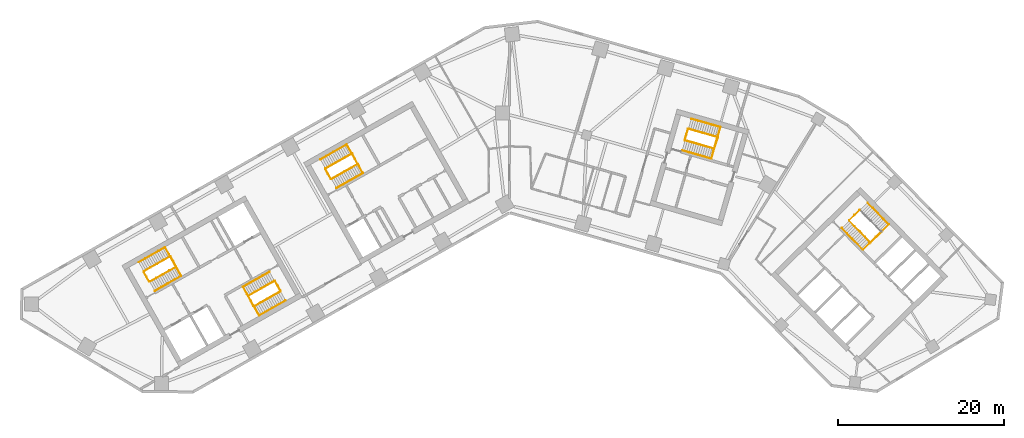
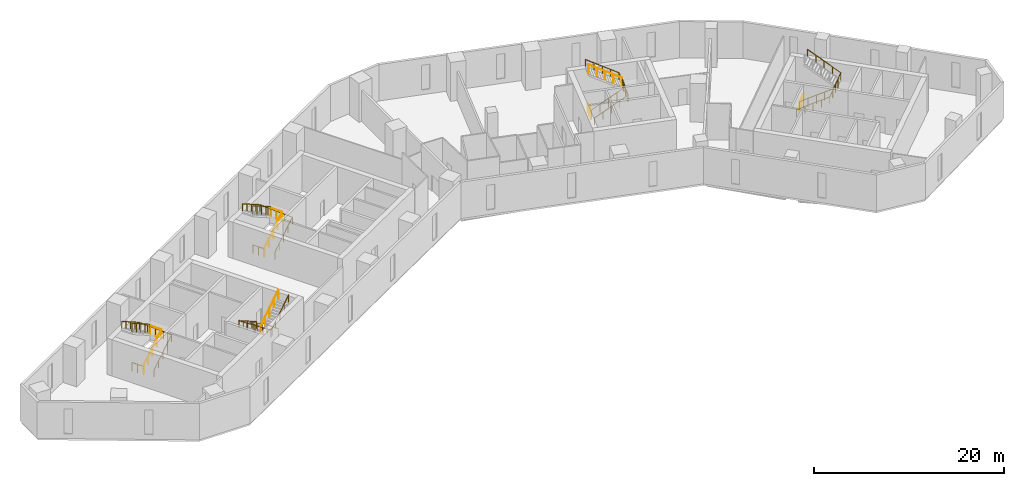
# One storey, part 9 of 10: 19 railings.
"""IFC4 building model written with IfcOpenShell, lengths in metres."""

from ifc_helpers import new_model, si_unit, direction, frame, origin, origin_2d, place, context, subcontext, project, spatial, circle, extrude, material, type_object, element, save


model = new_model("IFC4")

# Units and contexts
model_context = context("Model", 3, precision=1e-05, world=origin(), true_north=direction((0.0, 1.0)))
body_context = subcontext(model_context, "Body", "Model", "MODEL_VIEW")
ifc_project = project(units=[si_unit("LENGTHUNIT", "METRE"), si_unit("AREAUNIT", "SQUARE_METRE"), si_unit("VOLUMEUNIT", "CUBIC_METRE"), si_unit("PLANEANGLEUNIT", "RADIAN"), si_unit("MASSUNIT", "GRAM", prefix="KILO")], contexts=[model_context])

# Site, building, storey
site_placement = place(None, origin())
site = spatial("IfcSite", under=ifc_project, at=site_placement, CompositionType="ELEMENT")
building_placement = place(site_placement, origin())
building = spatial("IfcBuilding", under=site, at=building_placement, Name="Binnacle Exchange Tower", CompositionType="ELEMENT")
storey_placement = place(building_placement, frame((0.0, 0.0, 81.5)))
storey = spatial("IfcBuildingStorey", under=building, at=storey_placement, Name="L16", CompositionType="ELEMENT", Elevation=81.5)

# Railings
ifc_material_1 = material(Name="Steel guard rail", Category="steel")
railing_type_1 = type_object("IfcRailingType", Name="STAIR GUARD 1100", PredefinedType="GUARDRAIL", material=ifc_material_1)
railing_1_placement = place(storey_placement, frame((-43.26171875, 39.71728515625, 0.178466796875)))
element("IfcRailing", 1, at=railing_1_placement, inside=storey, type_object=railing_type_1, Name="L16 STA1 stair guard 1", PredefinedType="GUARDRAIL", context=body_context, shape_type="SweptSolid", body=[
    extrude(circle(Radius=0.02392578125, at=origin_2d()), frame((0.0, 0.0, 1.076171875), z_axis=(0.733795554141, 0.415191658331, 0.537735968274), x_axis=(-0.492450612189, 0.870340390052, 0.0)), (0.0, 0.0, 1.0), 4.317138671875),
    extrude(circle(Radius=0.02392578125, at=origin_2d()), frame((3.16796875, 1.79248046875, 3.3974609375), z_axis=(-0.460963092712, 0.887419307406, 0.0), x_axis=(-0.887419307406, -0.460963092712, 0.0)), (0.0, 0.0, 1.0), 1.40087890625),
    extrude(circle(Radius=0.02099609375, at=origin_2d()), origin(), (0.0, 0.0, 1.0), 1.052001953125),
    extrude(circle(Radius=0.02099609375, at=origin_2d()), frame((0.7919921875, 0.4482421875, 0.580322265625)), (0.0, 0.0, 1.0), 1.052001953125),
    extrude(circle(Radius=0.02099609375, at=origin_2d()), frame((1.583984375, 0.896240234375, 1.16064453125)), (0.0, 0.0, 1.0), 1.052001953125),
    extrude(circle(Radius=0.02099609375, at=origin_2d()), frame((2.3759765625, 1.34423828125, 1.7412109375)), (0.0, 0.0, 1.0), 1.052001953125),
    extrude(circle(Radius=0.02099609375, at=origin_2d()), frame((3.16796875, 1.79248046875, 2.321533203125)), (0.0, 0.0, 1.0), 1.052001953125),
    extrude(circle(Radius=0.02099609375, at=origin_2d()), frame((2.84521484375, 2.4140625, 2.321533203125)), (0.0, 0.0, 1.0), 1.052001953125),
    extrude(circle(Radius=0.02099609375, at=origin_2d()), frame((2.522216796875, 3.03564453125, 2.321533203125)), (0.0, 0.0, 1.0), 1.052001953125),
])
railing_2_placement = place(storey_placement, frame((-40.8076171875, 42.771728515625, 2.678466796875)))
element("IfcRailing", 2, at=railing_2_placement, inside=storey, type_object=railing_type_1, Name="L16 STA1 stair guard 2", PredefinedType="GUARDRAIL", context=body_context, shape_type="SweptSolid", body=[
    extrude(circle(Radius=0.02392578125, at=origin_2d()), frame((0.0, 0.0, 1.076171875), z_axis=(-0.733821652932, -0.415174429824, 0.537713654753), x_axis=(0.492421866095, -0.870356654361, 0.0)), (0.0, 0.0, 1.0), 4.3173828125),
    extrude(circle(Radius=0.02099609375, at=origin_2d()), origin(), (0.0, 0.0, 1.0), 1.052001953125),
    extrude(circle(Radius=0.02099609375, at=origin_2d()), frame((-0.7919921875, -0.4482421875, 0.580322265625)), (0.0, 0.0, 1.0), 1.052001953125),
    extrude(circle(Radius=0.02099609375, at=origin_2d()), frame((-1.583984375, -0.896240234375, 1.16064453125)), (0.0, 0.0, 1.0), 1.052001953125),
    extrude(circle(Radius=0.02099609375, at=origin_2d()), frame((-2.376220703125, -1.34423828125, 1.7412109375)), (0.0, 0.0, 1.0), 1.052001953125),
    extrude(circle(Radius=0.02099609375, at=origin_2d()), frame((-3.168212890625, -1.79248046875, 2.321533203125)), (0.0, 0.0, 1.0), 1.052001953125),
])
railing_3_placement = place(storey_placement, frame((-43.329833984375, 39.736328125, 0.0)))
element("IfcRailing", 3, at=railing_3_placement, inside=storey, type_object=railing_type_1, Name="L16 STA1 stair guard 3", PredefinedType="GUARDRAIL", context=body_context, shape_type="SweptSolid", body=[
    extrude(circle(Radius=0.02392578125, at=origin_2d()), frame((0.0, 0.0, 1.076171875), z_axis=(-0.4924922531, 0.870316827734, 0.0), x_axis=(-0.870316827734, -0.4924922531, 0.0)), (0.0, 0.0, 1.0), 1.349853515625),
    extrude(circle(Radius=0.02099609375, at=origin_2d()), origin(), (0.0, 0.0, 1.0), 1.052001953125),
    extrude(circle(Radius=0.02099609375, at=origin_2d()), frame((-0.33251953125, 0.58740234375, 0.0)), (0.0, 0.0, 1.0), 1.052001953125),
    extrude(circle(Radius=0.02099609375, at=origin_2d()), frame((-0.664794921875, 1.1748046875, 0.0)), (0.0, 0.0, 1.0), 1.052001953125),
])
railing_4_placement = place(storey_placement, frame((-28.265380859375, 39.814453125, 0.178466796875)))
element("IfcRailing", 4, at=railing_4_placement, inside=storey, type_object=railing_type_1, Name="L16 STA2 stair guard 1", PredefinedType="GUARDRAIL", context=body_context, shape_type="SweptSolid", body=[
    extrude(circle(Radius=0.02392578125, at=origin_2d()), frame((0.0, 0.0, 1.076171875), z_axis=(-0.733821652932, -0.415174429824, 0.537713654753), x_axis=(0.492421866095, -0.870356654361, 0.0)), (0.0, 0.0, 1.0), 4.3173828125),
    extrude(circle(Radius=0.02392578125, at=origin_2d()), frame((-3.168212890625, -1.79248046875, 3.3974609375), z_axis=(0.461100321709, -0.887348011391, 0.0), x_axis=(0.887348011391, 0.461100321709, 0.0)), (0.0, 0.0, 1.0), 1.40087890625),
    extrude(circle(Radius=0.02099609375, at=origin_2d()), origin(), (0.0, 0.0, 1.0), 1.052001953125),
    extrude(circle(Radius=0.02099609375, at=origin_2d()), frame((-0.7919921875, -0.4482421875, 0.580322265625)), (0.0, 0.0, 1.0), 1.052001953125),
    extrude(circle(Radius=0.02099609375, at=origin_2d()), frame((-1.583984375, -0.896240234375, 1.16064453125)), (0.0, 0.0, 1.0), 1.052001953125),
    extrude(circle(Radius=0.02099609375, at=origin_2d()), frame((-2.376220703125, -1.34423828125, 1.7412109375)), (0.0, 0.0, 1.0), 1.052001953125),
    extrude(circle(Radius=0.02099609375, at=origin_2d()), frame((-3.168212890625, -1.79248046875, 2.321533203125)), (0.0, 0.0, 1.0), 1.052001953125),
    extrude(circle(Radius=0.02099609375, at=origin_2d()), frame((-2.84521484375, -2.4140625, 2.321533203125)), (0.0, 0.0, 1.0), 1.052001953125),
    extrude(circle(Radius=0.02099609375, at=origin_2d()), frame((-2.522216796875, -3.03564453125, 2.321533203125)), (0.0, 0.0, 1.0), 1.052001953125),
])
railing_5_placement = place(storey_placement, frame((-30.719482421875, 36.760009765625, 2.678466796875)))
element("IfcRailing", 5, at=railing_5_placement, inside=storey, type_object=railing_type_1, Name="L16 STA2 stair guard 2", PredefinedType="GUARDRAIL", context=body_context, shape_type="SweptSolid", body=[
    extrude(circle(Radius=0.02392578125, at=origin_2d()), frame((0.0, 0.0, 1.076171875), z_axis=(0.733795554141, 0.415191658331, 0.537735968274), x_axis=(-0.492450612189, 0.870340390052, 0.0)), (0.0, 0.0, 1.0), 4.317138671875),
    extrude(circle(Radius=0.02099609375, at=origin_2d()), origin(), (0.0, 0.0, 1.0), 1.052001953125),
    extrude(circle(Radius=0.02099609375, at=origin_2d()), frame((0.7919921875, 0.4482421875, 0.580322265625)), (0.0, 0.0, 1.0), 1.052001953125),
    extrude(circle(Radius=0.02099609375, at=origin_2d()), frame((1.583984375, 0.896240234375, 1.16064453125)), (0.0, 0.0, 1.0), 1.052001953125),
    extrude(circle(Radius=0.02099609375, at=origin_2d()), frame((2.3759765625, 1.34423828125, 1.7412109375)), (0.0, 0.0, 1.0), 1.052001953125),
    extrude(circle(Radius=0.02099609375, at=origin_2d()), frame((3.16796875, 1.79248046875, 2.321533203125)), (0.0, 0.0, 1.0), 1.052001953125),
])
railing_6_placement = place(storey_placement, frame((-28.197265625, 39.795654296875, 0.0)))
element("IfcRailing", 6, at=railing_6_placement, inside=storey, type_object=railing_type_1, Name="L16 STA2 stair guard 3", PredefinedType="GUARDRAIL", context=body_context, shape_type="SweptSolid", body=[
    extrude(circle(Radius=0.02392578125, at=origin_2d()), frame((0.0, 0.0, 1.076171875), z_axis=(0.49241474071, -0.870360685654, 0.0), x_axis=(0.870360685654, 0.49241474071, 0.0)), (0.0, 0.0, 1.0), 1.35009765625),
    extrude(circle(Radius=0.02099609375, at=origin_2d()), origin(), (0.0, 0.0, 1.0), 1.052001953125),
    extrude(circle(Radius=0.02099609375, at=origin_2d()), frame((0.33251953125, -0.58740234375, 0.0)), (0.0, 0.0, 1.0), 1.052001953125),
    extrude(circle(Radius=0.02099609375, at=origin_2d()), frame((0.664794921875, -1.175048828125, 0.0)), (0.0, 0.0, 1.0), 1.052001953125),
])
railing_7_placement = place(storey_placement, frame((40.822509765625, 47.046875, 0.178466796875)))
element("IfcRailing", 7, at=railing_7_placement, inside=storey, type_object=railing_type_1, Name="L16 STB1 stair guard 1", PredefinedType="GUARDRAIL", context=body_context, shape_type="SweptSolid", body=[
    extrude(circle(Radius=0.02392578125, at=origin_2d()), frame((0.0, 0.0, 1.076171875), z_axis=(0.590946962671, -0.60135215321, 0.537733461056), x_axis=(0.713250539553, 0.700909172309, 0.0)), (0.0, 0.0, 1.0), 4.317138671875),
    extrude(circle(Radius=0.02392578125, at=origin_2d()), frame((2.55126953125, -2.59619140625, 3.3974609375), z_axis=(0.732527851538, 0.680737061369, 0.0), x_axis=(-0.680737061369, 0.732527851538, 0.0)), (0.0, 0.0, 1.0), 1.80078125),
    extrude(circle(Radius=0.02099609375, at=origin_2d()), origin(), (0.0, 0.0, 1.0), 1.052001953125),
    extrude(circle(Radius=0.02099609375, at=origin_2d()), frame((0.6376953125, -0.64892578125, 0.580322265625)), (0.0, 0.0, 1.0), 1.052001953125),
    extrude(circle(Radius=0.02099609375, at=origin_2d()), frame((1.275634765625, -1.298095703125, 1.16064453125)), (0.0, 0.0, 1.0), 1.052001953125),
    extrude(circle(Radius=0.02099609375, at=origin_2d()), frame((1.91357421875, -1.947265625, 1.7412109375)), (0.0, 0.0, 1.0), 1.052001953125),
    extrude(circle(Radius=0.02099609375, at=origin_2d()), frame((2.55126953125, -2.59619140625, 2.321533203125)), (0.0, 0.0, 1.0), 1.052001953125),
    extrude(circle(Radius=0.02099609375, at=origin_2d()), frame((3.2109375, -1.9833984375, 2.321533203125)), (0.0, 0.0, 1.0), 1.052001953125),
    extrude(circle(Radius=0.02099609375, at=origin_2d()), frame((3.870361328125, -1.370361328125, 2.321533203125)), (0.0, 0.0, 1.0), 1.052001953125),
])
railing_8_placement = place(storey_placement, frame((40.8232421875, 47.117431640625, 0.0)))
element("IfcRailing", 8, at=railing_8_placement, inside=storey, type_object=railing_type_1, Name="L16 STB1 stair guard 3", PredefinedType="GUARDRAIL", context=body_context, shape_type="SweptSolid", body=[
    extrude(circle(Radius=0.02392578125, at=origin_2d()), frame((0.0, 0.0, 1.076171875), z_axis=(0.713218950569, 0.700941316052, 0.0), x_axis=(-0.700941316052, 0.713218950569, 0.0)), (0.0, 0.0, 1.0), 1.75),
    extrude(circle(Radius=0.02099609375, at=origin_2d()), origin(), (0.0, 0.0, 1.0), 1.052001953125),
    extrude(circle(Radius=0.02099609375, at=origin_2d()), frame((0.6240234375, 0.61328125, 0.0)), (0.0, 0.0, 1.0), 1.052001953125),
    extrude(circle(Radius=0.02099609375, at=origin_2d()), frame((1.248046875, 1.2265625, 0.0)), (0.0, 0.0, 1.0), 1.052001953125),
])
railing_9_placement = place(storey_placement, frame((-21.423828125, 52.07275390625, 0.178466796875)))
element("IfcRailing", 9, at=railing_9_placement, inside=storey, type_object=railing_type_1, Name="L16 STC1 stair guard 1", PredefinedType="GUARDRAIL", context=body_context, shape_type="SweptSolid", body=[
    extrude(circle(Radius=0.02392578125, at=origin_2d()), frame((0.0, 0.0, 1.076171875), z_axis=(0.733838880464, 0.415127627455, 0.537726278364), x_axis=(-0.492371057291, 0.870385398511, 0.0)), (0.0, 0.0, 1.0), 4.3173828125),
    extrude(circle(Radius=0.02392578125, at=origin_2d()), frame((3.168212890625, 1.792236328125, 3.3974609375), z_axis=(-0.461100321709, 0.887348011391, 0.0), x_axis=(-0.887348011391, -0.461100321709, 0.0)), (0.0, 0.0, 1.0), 1.40087890625),
    extrude(circle(Radius=0.02099609375, at=origin_2d()), origin(), (0.0, 0.0, 1.0), 1.052001953125),
    extrude(circle(Radius=0.02099609375, at=origin_2d()), frame((0.7919921875, 0.447998046875, 0.580322265625)), (0.0, 0.0, 1.0), 1.052001953125),
    extrude(circle(Radius=0.02099609375, at=origin_2d()), frame((1.583984375, 0.89599609375, 1.16064453125)), (0.0, 0.0, 1.0), 1.052001953125),
    extrude(circle(Radius=0.02099609375, at=origin_2d()), frame((2.376220703125, 1.34423828125, 1.7412109375)), (0.0, 0.0, 1.0), 1.052001953125),
    extrude(circle(Radius=0.02099609375, at=origin_2d()), frame((3.168212890625, 1.792236328125, 2.321533203125)), (0.0, 0.0, 1.0), 1.052001953125),
    extrude(circle(Radius=0.02099609375, at=origin_2d()), frame((2.84521484375, 2.413818359375, 2.321533203125)), (0.0, 0.0, 1.0), 1.052001953125),
    extrude(circle(Radius=0.02099609375, at=origin_2d()), frame((2.522216796875, 3.035400390625, 2.321533203125)), (0.0, 0.0, 1.0), 1.052001953125),
])
railing_10_placement = place(storey_placement, frame((-18.9697265625, 55.126953125, 2.678466796875)))
element("IfcRailing", 10, at=railing_10_placement, inside=storey, type_object=railing_type_1, Name="L16 STC1 stair guard 2", PredefinedType="GUARDRAIL", context=body_context, shape_type="SweptSolid", body=[
    extrude(circle(Radius=0.02392578125, at=origin_2d()), frame((0.0, 0.0, 1.076171875), z_axis=(-0.733812782489, -0.415144854829, 0.537748593457), x_axis=(0.492399802317, -0.870369137021, 0.0)), (0.0, 0.0, 1.0), 4.317138671875),
    extrude(circle(Radius=0.02099609375, at=origin_2d()), origin(), (0.0, 0.0, 1.0), 1.052001953125),
    extrude(circle(Radius=0.02099609375, at=origin_2d()), frame((-0.7919921875, -0.447998046875, 0.580322265625)), (0.0, 0.0, 1.0), 1.052001953125),
    extrude(circle(Radius=0.02099609375, at=origin_2d()), frame((-1.583984375, -0.89599609375, 1.16064453125)), (0.0, 0.0, 1.0), 1.052001953125),
    extrude(circle(Radius=0.02099609375, at=origin_2d()), frame((-2.3759765625, -1.34423828125, 1.7412109375)), (0.0, 0.0, 1.0), 1.052001953125),
    extrude(circle(Radius=0.02099609375, at=origin_2d()), frame((-3.16796875, -1.792236328125, 2.321533203125)), (0.0, 0.0, 1.0), 1.052001953125),
])
railing_11_placement = place(storey_placement, frame((-21.491943359375, 52.091552734375, 0.0)))
element("IfcRailing", 11, at=railing_11_placement, inside=storey, type_object=railing_type_1, Name="L16 STC1 stair guard 3", PredefinedType="GUARDRAIL", context=body_context, shape_type="SweptSolid", body=[
    extrude(circle(Radius=0.02392578125, at=origin_2d()), frame((0.0, 0.0, 1.076171875), z_axis=(-0.49241474071, 0.870360685654, 0.0), x_axis=(-0.870360685654, -0.49241474071, 0.0)), (0.0, 0.0, 1.0), 1.35009765625),
    extrude(circle(Radius=0.02099609375, at=origin_2d()), origin(), (0.0, 0.0, 1.0), 1.052001953125),
    extrude(circle(Radius=0.02099609375, at=origin_2d()), frame((-0.33251953125, 0.58740234375, 0.0)), (0.0, 0.0, 1.0), 1.052001953125),
    extrude(circle(Radius=0.02099609375, at=origin_2d()), frame((-0.664794921875, 1.175048828125, 0.0)), (0.0, 0.0, 1.0), 1.052001953125),
])
railing_12_placement = place(storey_placement, frame((21.086669921875, 56.71044921875, 0.178466796875)))
element("IfcRailing", 12, at=railing_12_placement, inside=storey, type_object=railing_type_1, Name="L16 STD1 stair guard 1", PredefinedType="GUARDRAIL", context=body_context, shape_type="SweptSolid", body=[
    extrude(circle(Radius=0.02392578125, at=origin_2d()), frame((0.0, 0.0, 1.076171875), z_axis=(0.810455892038, -0.232415135102, 0.537721537635), x_axis=(0.275659984683, 0.961255206927, 0.0)), (0.0, 0.0, 1.0), 4.3173828125),
    extrude(circle(Radius=0.02392578125, at=origin_2d()), frame((3.4990234375, -1.00341796875, 3.3974609375), z_axis=(0.309684985722, 0.950839213337, 0.0), x_axis=(-0.950839213337, 0.309684985722, 0.0)), (0.0, 0.0, 1.0), 1.40087890625),
    extrude(circle(Radius=0.02099609375, at=origin_2d()), origin(), (0.0, 0.0, 1.0), 1.052001953125),
    extrude(circle(Radius=0.02099609375, at=origin_2d()), frame((0.874755859375, -0.2509765625, 0.580322265625)), (0.0, 0.0, 1.0), 1.052001953125),
    extrude(circle(Radius=0.02099609375, at=origin_2d()), frame((1.74951171875, -0.501708984375, 1.16064453125)), (0.0, 0.0, 1.0), 1.052001953125),
    extrude(circle(Radius=0.02099609375, at=origin_2d()), frame((2.624267578125, -0.75244140625, 1.7412109375)), (0.0, 0.0, 1.0), 1.052001953125),
    extrude(circle(Radius=0.02099609375, at=origin_2d()), frame((3.4990234375, -1.00341796875, 2.321533203125)), (0.0, 0.0, 1.0), 1.052001953125),
    extrude(circle(Radius=0.02099609375, at=origin_2d()), frame((3.7158203125, -0.33740234375, 2.321533203125)), (0.0, 0.0, 1.0), 1.052001953125),
    extrude(circle(Radius=0.02099609375, at=origin_2d()), frame((3.932861328125, 0.32861328125, 2.321533203125)), (0.0, 0.0, 1.0), 1.052001953125),
])
railing_13_placement = place(storey_placement, frame((24.9853515625, 57.100830078125, 2.678466796875)))
element("IfcRailing", 13, at=railing_13_placement, inside=storey, type_object=railing_type_1, Name="L16 STD1 stair guard 2", PredefinedType="GUARDRAIL", context=body_context, shape_type="SweptSolid", body=[
    extrude(circle(Radius=0.02392578125, at=origin_2d()), frame((0.0, 0.0, 1.076171875), z_axis=(-0.810455892038, 0.232415135102, 0.537721537635), x_axis=(-0.275659984683, -0.961255206927, 0.0)), (0.0, 0.0, 1.0), 4.3173828125),
    extrude(circle(Radius=0.02099609375, at=origin_2d()), origin(), (0.0, 0.0, 1.0), 1.052001953125),
    extrude(circle(Radius=0.02099609375, at=origin_2d()), frame((-0.874755859375, 0.2509765625, 0.580322265625)), (0.0, 0.0, 1.0), 1.052001953125),
    extrude(circle(Radius=0.02099609375, at=origin_2d()), frame((-1.74951171875, 0.501708984375, 1.16064453125)), (0.0, 0.0, 1.0), 1.052001953125),
    extrude(circle(Radius=0.02099609375, at=origin_2d()), frame((-2.624267578125, 0.75244140625, 1.7412109375)), (0.0, 0.0, 1.0), 1.052001953125),
    extrude(circle(Radius=0.02099609375, at=origin_2d()), frame((-3.4990234375, 1.00341796875, 2.321533203125)), (0.0, 0.0, 1.0), 1.052001953125),
])
railing_14_placement = place(storey_placement, frame((21.05224609375, 56.772216796875, 0.0)))
element("IfcRailing", 14, at=railing_14_placement, inside=storey, type_object=railing_type_1, Name="L16 STD1 stair guard 3", PredefinedType="GUARDRAIL", context=body_context, shape_type="SweptSolid", body=[
    extrude(circle(Radius=0.02392578125, at=origin_2d()), frame((0.0, 0.0, 1.076171875), z_axis=(0.275795817769, 0.961216243569, 0.0), x_axis=(-0.961216243569, 0.275795817769, 0.0)), (0.0, 0.0, 1.0), 1.349853515625),
    extrude(circle(Radius=0.02099609375, at=origin_2d()), origin(), (0.0, 0.0, 1.0), 1.052001953125),
    extrude(circle(Radius=0.02099609375, at=origin_2d()), frame((0.18603515625, 0.64892578125, 0.0)), (0.0, 0.0, 1.0), 1.052001953125),
    extrude(circle(Radius=0.02099609375, at=origin_2d()), frame((0.372314453125, 1.297607421875, 0.0)), (0.0, 0.0, 1.0), 1.052001953125),
])
ifc_material_2 = material(Name="Steel handrail", Category="steel")
railing_type_2 = type_object("IfcRailingType", Name="STAIR HANDRAIL 900", PredefinedType="HANDRAIL", material=ifc_material_2)
railing_15_placement = place(storey_placement, frame((-42.646240234375, 38.62939453125, 0.178466796875)))
element("IfcRailing", 15, at=railing_15_placement, inside=storey, type_object=railing_type_2, Name="L16 STA1 stair handrail 1", PredefinedType="HANDRAIL", context=body_context, shape_type="SweptSolid", body=[
    extrude(circle(Radius=0.02392578125, at=origin_2d()), frame((0.0, 0.0, 0.8759765625), z_axis=(0.733821652932, 0.415174429824, 0.537713654753), x_axis=(-0.492421866095, 0.870356654361, 0.0)), (0.0, 0.0, 1.0), 4.3173828125),
    extrude(circle(Radius=0.02392578125, at=origin_2d()), frame((3.168212890625, 1.79248046875, 3.197265625), z_axis=(-0.491985021148, 0.869432866815, 0.045135674003), x_axis=(-0.870319839224, -0.492486931251, 0.0)), (0.0, 0.0, 1.0), 3.9541015625),
    extrude(circle(Radius=0.02392578125, at=origin_2d()), frame((1.222900390625, 5.230224609375, 3.3759765625), z_axis=(-0.733812782489, -0.415144854829, 0.537748593457), x_axis=(0.492399802317, -0.870369137021, 0.0)), (0.0, 0.0, 1.0), 4.317138671875),
    extrude(circle(Radius=0.02099609375, at=origin_2d()), origin(), (0.0, 0.0, 1.0), 0.851806640625),
    extrude(circle(Radius=0.02099609375, at=origin_2d()), frame((0.7919921875, 0.4482421875, 0.580322265625)), (0.0, 0.0, 1.0), 0.851806640625),
    extrude(circle(Radius=0.02099609375, at=origin_2d()), frame((1.583984375, 0.896240234375, 1.16064453125)), (0.0, 0.0, 1.0), 0.851806640625),
    extrude(circle(Radius=0.02099609375, at=origin_2d()), frame((2.376220703125, 1.34423828125, 1.7412109375)), (0.0, 0.0, 1.0), 0.851806640625),
    extrude(circle(Radius=0.02099609375, at=origin_2d()), frame((3.168212890625, 1.79248046875, 2.321533203125)), (0.0, 0.0, 1.0), 0.851806640625),
    extrude(circle(Radius=0.02099609375, at=origin_2d()), frame((2.681884765625, 2.65185546875, 2.3662109375)), (0.0, 0.0, 1.0), 0.851806640625),
    extrude(circle(Radius=0.02099609375, at=origin_2d()), frame((2.195556640625, 3.51123046875, 2.41064453125)), (0.0, 0.0, 1.0), 0.851806640625),
    extrude(circle(Radius=0.02099609375, at=origin_2d()), frame((1.709228515625, 4.370849609375, 2.455322265625)), (0.0, 0.0, 1.0), 0.851806640625),
    extrude(circle(Radius=0.02099609375, at=origin_2d()), frame((1.222900390625, 5.230224609375, 2.5)), (0.0, 0.0, 1.0), 0.851806640625),
    extrude(circle(Radius=0.02099609375, at=origin_2d()), frame((0.430908203125, 4.7822265625, 3.080322265625)), (0.0, 0.0, 1.0), 0.851806640625),
    extrude(circle(Radius=0.02099609375, at=origin_2d()), frame((-0.361083984375, 4.333984375, 3.66064453125)), (0.0, 0.0, 1.0), 0.851806640625),
    extrude(circle(Radius=0.02099609375, at=origin_2d()), frame((-1.153076171875, 3.885986328125, 4.2412109375)), (0.0, 0.0, 1.0), 0.851806640625),
    extrude(circle(Radius=0.02099609375, at=origin_2d()), frame((-1.945068359375, 3.43798828125, 4.821533203125)), (0.0, 0.0, 1.0), 0.851806640625),
])
railing_16_placement = place(storey_placement, frame((-28.880859375, 40.90234375, 0.178466796875)))
element("IfcRailing", 16, at=railing_16_placement, inside=storey, type_object=railing_type_2, Name="L16 STA2 stair handrail 1", PredefinedType="HANDRAIL", context=body_context, shape_type="SweptSolid", body=[
    extrude(circle(Radius=0.02392578125, at=origin_2d()), frame((0.0, 0.0, 0.8759765625), z_axis=(-0.733838880464, -0.415127627455, 0.537726278364), x_axis=(0.492371057291, -0.870385398511, 0.0)), (0.0, 0.0, 1.0), 4.3173828125),
    extrude(circle(Radius=0.02392578125, at=origin_2d()), frame((-3.168212890625, -1.792236328125, 3.197265625), z_axis=(0.491911810019, -0.86947434526, 0.045134621956), x_axis=(0.870361318571, 0.492413622004, 0.0)), (0.0, 0.0, 1.0), 3.9541015625),
    extrude(circle(Radius=0.02392578125, at=origin_2d()), frame((-1.22314453125, -5.230224609375, 3.3759765625), z_axis=(0.733821652932, 0.415174429824, 0.537713654753), x_axis=(-0.492421866095, 0.870356654361, 0.0)), (0.0, 0.0, 1.0), 4.3173828125),
    extrude(circle(Radius=0.02099609375, at=origin_2d()), origin(), (0.0, 0.0, 1.0), 0.851806640625),
    extrude(circle(Radius=0.02099609375, at=origin_2d()), frame((-0.7919921875, -0.447998046875, 0.580322265625)), (0.0, 0.0, 1.0), 0.851806640625),
    extrude(circle(Radius=0.02099609375, at=origin_2d()), frame((-1.583984375, -0.89599609375, 1.16064453125)), (0.0, 0.0, 1.0), 0.851806640625),
    extrude(circle(Radius=0.02099609375, at=origin_2d()), frame((-2.376220703125, -1.34423828125, 1.7412109375)), (0.0, 0.0, 1.0), 0.851806640625),
    extrude(circle(Radius=0.02099609375, at=origin_2d()), frame((-3.168212890625, -1.792236328125, 2.321533203125)), (0.0, 0.0, 1.0), 0.851806640625),
    extrude(circle(Radius=0.02099609375, at=origin_2d()), frame((-2.681884765625, -2.65185546875, 2.3662109375)), (0.0, 0.0, 1.0), 0.851806640625),
    extrude(circle(Radius=0.02099609375, at=origin_2d()), frame((-2.19580078125, -3.51123046875, 2.41064453125)), (0.0, 0.0, 1.0), 0.851806640625),
    extrude(circle(Radius=0.02099609375, at=origin_2d()), frame((-1.70947265625, -4.37060546875, 2.455322265625)), (0.0, 0.0, 1.0), 0.851806640625),
    extrude(circle(Radius=0.02099609375, at=origin_2d()), frame((-1.22314453125, -5.230224609375, 2.5)), (0.0, 0.0, 1.0), 0.851806640625),
    extrude(circle(Radius=0.02099609375, at=origin_2d()), frame((-0.43115234375, -4.7822265625, 3.080322265625)), (0.0, 0.0, 1.0), 0.851806640625),
    extrude(circle(Radius=0.02099609375, at=origin_2d()), frame((0.36083984375, -4.333984375, 3.66064453125)), (0.0, 0.0, 1.0), 0.851806640625),
    extrude(circle(Radius=0.02099609375, at=origin_2d()), frame((1.153076171875, -3.8857421875, 4.2412109375)), (0.0, 0.0, 1.0), 0.851806640625),
    extrude(circle(Radius=0.02099609375, at=origin_2d()), frame((1.945068359375, -3.437744140625, 4.821533203125)), (0.0, 0.0, 1.0), 0.851806640625),
])
railing_17_placement = place(storey_placement, frame((39.930908203125, 46.170654296875, 0.178466796875)))
element("IfcRailing", 17, at=railing_17_placement, inside=storey, type_object=railing_type_2, Name="L16 STB1 stair handrail 1", PredefinedType="HANDRAIL", context=body_context, shape_type="SweptSolid", body=[
    extrude(circle(Radius=0.02392578125, at=origin_2d()), frame((0.0, 0.0, 0.8759765625), z_axis=(0.590983762497, -0.601332057257, 0.53771549111), x_axis=(0.713217009097, 0.700943291525, 0.0)), (0.0, 0.0, 1.0), 4.3173828125),
    extrude(circle(Radius=0.02392578125, at=origin_2d()), frame((2.551513671875, -2.59619140625, 3.197265625), z_axis=(0.712654164256, 0.700316745611, 0.040993877406), x_axis=(-0.700905928746, 0.713253726978, 0.0)), (0.0, 0.0, 1.0), 4.353515625),
    extrude(circle(Radius=0.02392578125, at=origin_2d()), frame((5.654052734375, 0.45263671875, 3.3759765625), z_axis=(-0.590926866753, 0.601388251475, 0.537715174732), x_axis=(-0.713283488215, -0.700875641922, 0.0)), (0.0, 0.0, 1.0), 4.3173828125),
    extrude(circle(Radius=0.02099609375, at=origin_2d()), origin(), (0.0, 0.0, 1.0), 0.851806640625),
    extrude(circle(Radius=0.02099609375, at=origin_2d()), frame((0.637939453125, -0.64892578125, 0.580322265625)), (0.0, 0.0, 1.0), 0.851806640625),
    extrude(circle(Radius=0.02099609375, at=origin_2d()), frame((1.27587890625, -1.298095703125, 1.16064453125)), (0.0, 0.0, 1.0), 0.851806640625),
    extrude(circle(Radius=0.02099609375, at=origin_2d()), frame((1.91357421875, -1.947265625, 1.7412109375)), (0.0, 0.0, 1.0), 0.851806640625),
    extrude(circle(Radius=0.02099609375, at=origin_2d()), frame((2.551513671875, -2.59619140625, 2.321533203125)), (0.0, 0.0, 1.0), 0.851806640625),
    extrude(circle(Radius=0.02099609375, at=origin_2d()), frame((3.3271484375, -1.833984375, 2.3662109375)), (0.0, 0.0, 1.0), 0.851806640625),
    extrude(circle(Radius=0.02099609375, at=origin_2d()), frame((4.102783203125, -1.07177734375, 2.41064453125)), (0.0, 0.0, 1.0), 0.851806640625),
    extrude(circle(Radius=0.02099609375, at=origin_2d()), frame((4.87841796875, -0.3095703125, 2.455322265625)), (0.0, 0.0, 1.0), 0.851806640625),
    extrude(circle(Radius=0.02099609375, at=origin_2d()), frame((5.654052734375, 0.45263671875, 2.5)), (0.0, 0.0, 1.0), 0.851806640625),
    extrude(circle(Radius=0.02099609375, at=origin_2d()), frame((5.01611328125, 1.101806640625, 3.080322265625)), (0.0, 0.0, 1.0), 0.851806640625),
    extrude(circle(Radius=0.02099609375, at=origin_2d()), frame((4.37841796875, 1.7509765625, 3.66064453125)), (0.0, 0.0, 1.0), 0.851806640625),
    extrude(circle(Radius=0.02099609375, at=origin_2d()), frame((3.74072265625, 2.39990234375, 4.2412109375)), (0.0, 0.0, 1.0), 0.851806640625),
    extrude(circle(Radius=0.02099609375, at=origin_2d()), frame((3.102783203125, 3.049072265625, 4.821533203125)), (0.0, 0.0, 1.0), 0.851806640625),
])
railing_18_placement = place(storey_placement, frame((-20.808349609375, 50.984619140625, 0.178466796875)))
element("IfcRailing", 18, at=railing_18_placement, inside=storey, type_object=railing_type_2, Name="L16 STC1 stair handrail 1", PredefinedType="HANDRAIL", context=body_context, shape_type="SweptSolid", body=[
    extrude(circle(Radius=0.02392578125, at=origin_2d()), frame((0.0, 0.0, 0.8759765625), z_axis=(0.733821652932, 0.415174429824, 0.537713654753), x_axis=(-0.492421866095, 0.870356654361, 0.0)), (0.0, 0.0, 1.0), 4.3173828125),
    extrude(circle(Radius=0.02392578125, at=origin_2d()), frame((3.168212890625, 1.79248046875, 3.197265625), z_axis=(-0.491911810019, 0.86947434526, 0.045134621956), x_axis=(-0.870361318571, -0.492413622004, 0.0)), (0.0, 0.0, 1.0), 3.9541015625),
    extrude(circle(Radius=0.02392578125, at=origin_2d()), frame((1.22314453125, 5.23046875, 3.3759765625), z_axis=(-0.733821652932, -0.415174429824, 0.537713654753), x_axis=(0.492421866095, -0.870356654361, 0.0)), (0.0, 0.0, 1.0), 4.3173828125),
    extrude(circle(Radius=0.02099609375, at=origin_2d()), origin(), (0.0, 0.0, 1.0), 0.851806640625),
    extrude(circle(Radius=0.02099609375, at=origin_2d()), frame((0.7919921875, 0.4482421875, 0.580322265625)), (0.0, 0.0, 1.0), 0.851806640625),
    extrude(circle(Radius=0.02099609375, at=origin_2d()), frame((1.583984375, 0.896240234375, 1.16064453125)), (0.0, 0.0, 1.0), 0.851806640625),
    extrude(circle(Radius=0.02099609375, at=origin_2d()), frame((2.376220703125, 1.34423828125, 1.7412109375)), (0.0, 0.0, 1.0), 0.851806640625),
    extrude(circle(Radius=0.02099609375, at=origin_2d()), frame((3.168212890625, 1.79248046875, 2.321533203125)), (0.0, 0.0, 1.0), 0.851806640625),
    extrude(circle(Radius=0.02099609375, at=origin_2d()), frame((2.681884765625, 2.65185546875, 2.3662109375)), (0.0, 0.0, 1.0), 0.851806640625),
    extrude(circle(Radius=0.02099609375, at=origin_2d()), frame((2.19580078125, 3.511474609375, 2.41064453125)), (0.0, 0.0, 1.0), 0.851806640625),
    extrude(circle(Radius=0.02099609375, at=origin_2d()), frame((1.70947265625, 4.37109375, 2.455322265625)), (0.0, 0.0, 1.0), 0.851806640625),
    extrude(circle(Radius=0.02099609375, at=origin_2d()), frame((1.22314453125, 5.23046875, 2.5)), (0.0, 0.0, 1.0), 0.851806640625),
    extrude(circle(Radius=0.02099609375, at=origin_2d()), frame((0.43115234375, 4.7822265625, 3.080322265625)), (0.0, 0.0, 1.0), 0.851806640625),
    extrude(circle(Radius=0.02099609375, at=origin_2d()), frame((-0.36083984375, 4.334228515625, 3.66064453125)), (0.0, 0.0, 1.0), 0.851806640625),
    extrude(circle(Radius=0.02099609375, at=origin_2d()), frame((-1.153076171875, 3.88623046875, 4.2412109375)), (0.0, 0.0, 1.0), 0.851806640625),
    extrude(circle(Radius=0.02099609375, at=origin_2d()), frame((-1.945068359375, 3.43798828125, 4.821533203125)), (0.0, 0.0, 1.0), 0.851806640625),
])
railing_19_placement = place(storey_placement, frame((20.7421875, 55.5087890625, 0.178466796875)))
element("IfcRailing", 19, at=railing_19_placement, inside=storey, type_object=railing_type_2, Name="L16 STD1 stair handrail 1", PredefinedType="HANDRAIL", context=body_context, shape_type="SweptSolid", body=[
    extrude(circle(Radius=0.02392578125, at=origin_2d()), frame((0.0, 0.0, 0.8759765625), z_axis=(0.810436485383, -0.2324257871, 0.537746182368), x_axis=(0.27567775811, 0.961250109848, 0.0)), (0.0, 0.0, 1.0), 4.317138671875),
    extrude(circle(Radius=0.02392578125, at=origin_2d()), frame((3.498779296875, -1.00341796875, 3.197265625), z_axis=(0.275370676617, 0.960278056821, 0.045133624351), x_axis=(-0.961257617982, 0.275651576943, 0.0)), (0.0, 0.0, 1.0), 3.9541015625),
    extrude(circle(Radius=0.02392578125, at=origin_2d()), frame((4.587646484375, 2.793701171875, 3.3759765625), z_axis=(-0.810466542589, 0.232361639932, 0.537728604067), x_axis=(-0.275598008994, -0.961272977587, 0.0)), (0.0, 0.0, 1.0), 4.3173828125),
    extrude(circle(Radius=0.02099609375, at=origin_2d()), origin(), (0.0, 0.0, 1.0), 0.851806640625),
    extrude(circle(Radius=0.02099609375, at=origin_2d()), frame((0.874755859375, -0.2509765625, 0.580322265625)), (0.0, 0.0, 1.0), 0.851806640625),
    extrude(circle(Radius=0.02099609375, at=origin_2d()), frame((1.74951171875, -0.501708984375, 1.16064453125)), (0.0, 0.0, 1.0), 0.851806640625),
    extrude(circle(Radius=0.02099609375, at=origin_2d()), frame((2.6240234375, -0.75244140625, 1.7412109375)), (0.0, 0.0, 1.0), 0.851806640625),
    extrude(circle(Radius=0.02099609375, at=origin_2d()), frame((3.498779296875, -1.00341796875, 2.321533203125)), (0.0, 0.0, 1.0), 0.851806640625),
    extrude(circle(Radius=0.02099609375, at=origin_2d()), frame((3.77099609375, -0.05419921875, 2.3662109375)), (0.0, 0.0, 1.0), 0.851806640625),
    extrude(circle(Radius=0.02099609375, at=origin_2d()), frame((4.043212890625, 0.89501953125, 2.41064453125)), (0.0, 0.0, 1.0), 0.851806640625),
    extrude(circle(Radius=0.02099609375, at=origin_2d()), frame((4.3154296875, 1.844482421875, 2.455322265625)), (0.0, 0.0, 1.0), 0.851806640625),
    extrude(circle(Radius=0.02099609375, at=origin_2d()), frame((4.587646484375, 2.793701171875, 2.5)), (0.0, 0.0, 1.0), 0.851806640625),
    extrude(circle(Radius=0.02099609375, at=origin_2d()), frame((3.712890625, 3.04443359375, 3.080322265625)), (0.0, 0.0, 1.0), 0.851806640625),
    extrude(circle(Radius=0.02099609375, at=origin_2d()), frame((2.838134765625, 3.29541015625, 3.66064453125)), (0.0, 0.0, 1.0), 0.851806640625),
    extrude(circle(Radius=0.02099609375, at=origin_2d()), frame((1.96337890625, 3.546142578125, 4.2412109375)), (0.0, 0.0, 1.0), 0.851806640625),
    extrude(circle(Radius=0.02099609375, at=origin_2d()), frame((1.088623046875, 3.796875, 4.821533203125)), (0.0, 0.0, 1.0), 0.851806640625),
])

save(model, "model.ifc")
